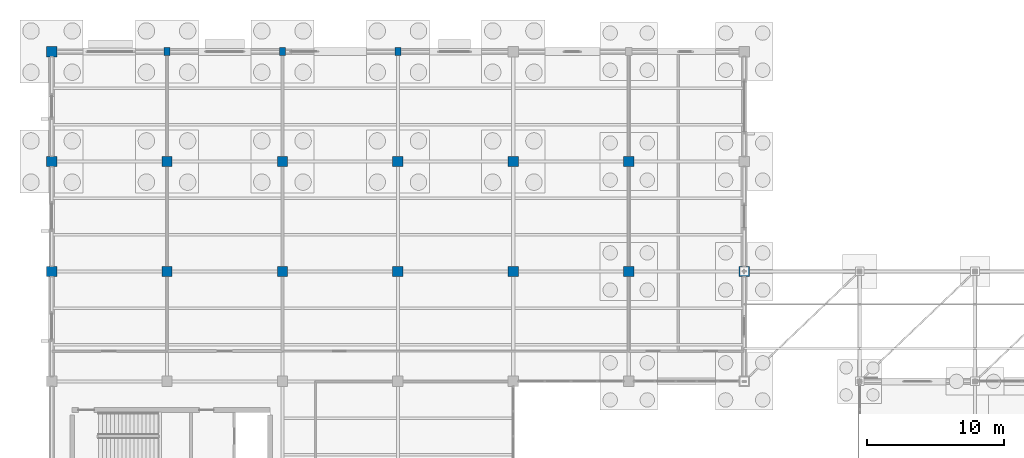
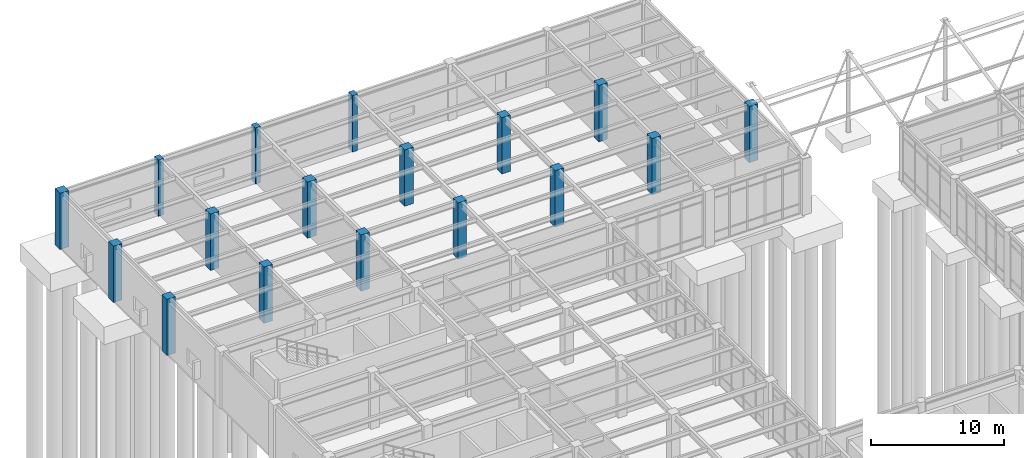
# One storey, part 13 of 138: 17 columns.
"""IFC4 building model written with IfcOpenShell, lengths in metres."""

import ifcopenshell
import ifcopenshell.guid

model = None  # the IFC model being written
_history = None  # IfcOwnerHistory: only IFC2X3 demands one
_inside = {}  # id of a spatial element -> (the spatial element, [elements in it])
_under = {}  # id of a project, library or spatial element -> (it, [spatial elements below it])
_declared = {}  # id of a project -> (the project, [libraries it declares])
_typed = {}  # id of a type object -> (the type object, [elements of that type])
_made_of = {}  # id of a material, layer set ... -> (it, [elements and type objects made of it])


def new_model(schema):
    """Start an empty IFC model of exactly this schema.

    Asked for "IFC4X3", IfcOpenShell would pick the latest addendum, in which some entities
    have other attributes; the version numbers below select the first issue.
    IFC2X3 requires an IfcOwnerHistory on every rooted entity: one is made here for all.
    """
    global model, _history
    if schema == "IFC4X3":
        model = ifcopenshell.file(schema_version=(4, 3, 0, 0))
    else:
        model = ifcopenshell.file(schema=schema)
    _inside.clear()
    _under.clear()
    _declared.clear()
    _typed.clear()
    _made_of.clear()
    _history = None
    if model.schema == "IFC2X3":
        org = make("IfcOrganization", Name="unknown")
        user = make(
            "IfcPersonAndOrganization",
            ThePerson=make("IfcPerson", FamilyName="unknown"),
            TheOrganization=org,
        )
        app = make(
            "IfcApplication",
            ApplicationDeveloper=org,
            Version="unknown",
            ApplicationFullName="unknown",
            ApplicationIdentifier="unknown",
        )
        _history = make(
            "IfcOwnerHistory",
            OwningUser=user,
            OwningApplication=app,
            ChangeAction="ADDED",
            CreationDate=0,
        )
    return model


def make(cls, **values):
    """One entity of the class cls with the attributes given. An attribute that is None is left unset."""
    return model.create_entity(
        cls, **{name: value for name, value in values.items() if value is not None}
    )


def rooted(cls, **values):
    """An entity with a GlobalId (a new one), such as an element, a storey or a relation."""
    return make(cls, GlobalId=ifcopenshell.guid.new(), OwnerHistory=_history, **values)


def si_unit(unit_type, name, prefix=None):
    """IfcSIUnit, for example si_unit("LENGTHUNIT", "METRE", prefix="MILLI")."""
    return make("IfcSIUnit", UnitType=unit_type, Prefix=prefix, Name=name)


def assignment(units):
    """IfcUnitAssignment: the units of a project."""
    return None if units is None else make("IfcUnitAssignment", Units=units)


def point(xyz):
    """IfcCartesianPoint."""
    return None if xyz is None else make("IfcCartesianPoint", Coordinates=xyz)


def direction(xyz):
    """IfcDirection."""
    return None if xyz is None else make("IfcDirection", DirectionRatios=xyz)


def frame(location, z_axis=None, x_axis=None):
    """IfcAxis2Placement3D, a coordinate frame: its origin and axes. An axis left out is left unset."""
    return make(
        "IfcAxis2Placement3D",
        Location=point(location),
        Axis=direction(z_axis),
        RefDirection=direction(x_axis),
    )


def frame_2d(location, x_axis=None):
    """IfcAxis2Placement2D, a coordinate frame in the plane: its origin and x axis."""
    return make(
        "IfcAxis2Placement2D", Location=point(location), RefDirection=direction(x_axis)
    )


def origin():
    """The frame at (0, 0, 0) with its axes left unset."""
    return frame((0.0, 0.0, 0.0))


def origin_2d():
    """The frame at (0, 0) in the plane with its x axis left unset."""
    return frame_2d((0.0, 0.0))


def place(relative_to, where):
    """IfcLocalPlacement: puts the frame where relative to a parent placement (None: the world)."""
    return make(
        "IfcLocalPlacement", PlacementRelTo=relative_to, RelativePlacement=where
    )


def context(
    kind, dimensions, precision=None, world=None, true_north=None, identifier=None
):
    """IfcGeometricRepresentationContext, for example the 3D "Model" context."""
    return make(
        "IfcGeometricRepresentationContext",
        ContextIdentifier=identifier,
        ContextType=kind,
        CoordinateSpaceDimension=dimensions,
        Precision=precision,
        WorldCoordinateSystem=world,
        TrueNorth=true_north,
    )


def subcontext(parent, identifier, kind, view, scale=None):
    """IfcGeometricRepresentationSubContext, for example "Body" below "Model"."""
    return make(
        "IfcGeometricRepresentationSubContext",
        ContextIdentifier=identifier,
        ContextType=kind,
        ParentContext=parent,
        TargetScale=scale,
        TargetView=view,
    )


def project(units=None, contexts=None):
    """IfcProject with its units and contexts."""
    return rooted(
        "IfcProject",
        Name="project",
        RepresentationContexts=contexts,
        UnitsInContext=assignment(units),
    )


def spatial(cls, under=None, at=None, **own):
    """A site, building, storey or space (cls), placed at a placement, below another one or the project."""
    s = rooted(cls, ObjectPlacement=at, **own)
    if under is not None:
        _under.setdefault(under.id(), (under, []))[1].append(s)
    return s


def profile(cls, at=None, kind="AREA", **sizes):
    """A parametric profile (cls). Its sizes go by their IFC names, for example OverallWidth=200.0."""
    return make(cls, ProfileType=kind, Position=at, **sizes)


def rectangle(**sizes):
    """IfcRectangleProfileDef."""
    return profile("IfcRectangleProfileDef", **sizes)


def extrude(swept, where, along, depth):
    """IfcExtrudedAreaSolid: the profile swept, set in the frame where, extruded along a direction by depth."""
    return make(
        "IfcExtrudedAreaSolid",
        SweptArea=swept,
        Position=where,
        ExtrudedDirection=direction(along),
        Depth=depth,
    )


def shape(context_of_items, identifier, shape_type, items):
    """IfcShapeRepresentation: the items that make up one representation, for example the "Body"."""
    return make(
        "IfcShapeRepresentation",
        ContextOfItems=context_of_items,
        RepresentationIdentifier=identifier,
        RepresentationType=shape_type,
        Items=items,
    )


def material(Name=None, Category=None):
    """IfcMaterial."""
    return make("IfcMaterial", Name=Name, Category=Category)


def material_profile(
    of_material, cross_section, Name=None, Category=None, Priority=None
):
    """IfcMaterialProfile: a cross section and its material."""
    return make(
        "IfcMaterialProfile",
        Name=Name,
        Material=of_material,
        Profile=cross_section,
        Priority=Priority,
        Category=Category,
    )


def profile_set(profiles, Name=None, composite=None):
    """IfcMaterialProfileSet."""
    return make(
        "IfcMaterialProfileSet",
        Name=Name,
        MaterialProfiles=profiles,
        CompositeProfile=composite,
    )


def made_of(thing, what):
    """Note that an element or type object is made of a material, layer set ...; save() writes the relation."""
    if what is not None:
        _made_of.setdefault(what.id(), (what, []))[1].append(thing)
    return thing


def type_object(cls, material=None, **own):
    """A type object (cls), such as IfcWallType, which elements share."""
    return made_of(rooted(cls, **own), material)


def element(
    cls,
    number,
    at=None,
    inside=None,
    cuts=None,
    type_object=None,
    material=None,
    context=None,
    identifier="Body",
    shape_type=None,
    held_by="IfcProductDefinitionShape",
    body=None,
    shapes=None,
    **own,
):
    """One element of the class cls, such as IfcWall. Its Tag is "e" and its number.

    at: its placement. inside: the storey or other place that contains it. cuts: it is an
    opening in that element (IfcRelVoidsElement). A single representation is given by context,
    identifier, shape_type and body (its items); several are given by shapes. held_by: the class
    of the entity that holds the representations. save() writes the other relations.
    """
    e = rooted(cls, Tag="e%d" % number, ObjectPlacement=at, **own)
    if body is not None:
        shapes = [shape(context, identifier, shape_type, body)]
    if shapes is not None:
        e.Representation = make(held_by, Representations=shapes)
    if inside is not None:
        _inside.setdefault(inside.id(), (inside, []))[1].append(e)
    if cuts is not None:
        rooted(
            "IfcRelVoidsElement", RelatingBuildingElement=cuts, RelatedOpeningElement=e
        )
    if type_object is not None:
        _typed.setdefault(type_object.id(), (type_object, []))[1].append(e)
    return made_of(e, material)


def aggregate(whole, parts):
    """IfcRelAggregates: a whole, such as a stair, and the parts it consists of."""
    return rooted("IfcRelAggregates", RelatingObject=whole, RelatedObjects=parts)


def save(model, path):
    """Write the relations noted so far, then the file.

    IfcRelAggregates (storeys below a building ...), IfcRelContainedInSpatialStructure (elements
    in a storey), IfcRelDefinesByType, IfcRelAssociatesMaterial and IfcRelDeclares: one each for
    every whole, place, type object, material and project.
    """
    for whole, parts in _under.values():
        aggregate(whole, parts)
    for where, things in _inside.values():
        rooted(
            "IfcRelContainedInSpatialStructure",
            RelatedElements=things,
            RelatingStructure=where,
        )
    for kind, things in _typed.values():
        rooted("IfcRelDefinesByType", RelatedObjects=things, RelatingType=kind)
    for what, things in _made_of.values():
        rooted("IfcRelAssociatesMaterial", RelatedObjects=things, RelatingMaterial=what)
    for by, libraries in _declared.values():
        rooted("IfcRelDeclares", RelatingContext=by, RelatedDefinitions=libraries)
    model.write(path)


model = new_model("IFC4")

# Units and contexts
model_context = context("Model", 3, precision=1e-05, world=origin(), true_north=direction((0.0, 1.0)))
body_context = subcontext(model_context, "Body", "Model", "MODEL_VIEW")
ifc_project = project(units=[si_unit("LENGTHUNIT", "METRE"), si_unit("AREAUNIT", "SQUARE_METRE"), si_unit("VOLUMEUNIT", "CUBIC_METRE"), si_unit("PLANEANGLEUNIT", "RADIAN"), si_unit("MASSUNIT", "GRAM", prefix="KILO")], contexts=[model_context])

# Site, building, storey
site_placement = place(None, origin())
site = spatial("IfcSite", under=ifc_project, at=site_placement, CompositionType="ELEMENT")
building_placement = place(site_placement, origin())
building = spatial("IfcBuilding", under=site, at=building_placement, Name="Kranzveld Transit Interchange", CompositionType="ELEMENT")
storey_placement = place(building_placement, origin())
storey = spatial("IfcBuildingStorey", under=building, at=storey_placement, Name="L00", CompositionType="ELEMENT", Elevation=0.0)

# Columns
ifc_material_1 = material(Name="Concrete C40/50", Category="concrete")
ifc_material_profile_1 = material_profile(ifc_material_1, rectangle(XDim=0.75, YDim=0.75, at=origin_2d()), Name="RC 750x750")
ifc_profile_set_1 = profile_set([ifc_material_profile_1], Name="Concrete C40/50")
column_type_1 = type_object("IfcColumnType", Name="Column RC 750x750 C40/50", PredefinedType="COLUMN", material=ifc_profile_set_1)
for number, where, z_axis, x_axis, name in (
    (1, (0.0, 96.0, 0.0), (0.0, 0.0, 1.0), (1.0, 0.0, 0.0), "L00 Column 01/N"),
    (2, (0.0, 104.0, 0.0), (0.0, 0.0, 1.0), (1.0, 0.0, 0.0), "L00 Column 01/P"),
    (3, (0.0, 112.0, 0.0), (0.0, 0.0, 1.0), (1.0, 0.0, 0.0), "L00 Column 01/Q"),
    (4, (8.39990234375, 96.0, 0.0), (0.0, 0.0, 1.0), (1.0, 0.0, 0.0), "L00 Column 02/N"),
    (5, (8.39990234375, 104.0, 0.0), (0.0, 0.0, 1.0), (1.0, 0.0, 0.0), "L00 Column 02/P"),
    (6, (16.800048828125, 96.0, 0.0), (0.0, 0.0, 1.0), (1.0, 0.0, 0.0), "L00 Column 03/N"),
    (7, (16.800048828125, 104.0, 0.0), (0.0, 0.0, 1.0), (1.0, 0.0, 0.0), "L00 Column 03/P"),
    (8, (25.199951171875, 96.0, 0.0), (0.0, 0.0, 1.0), (1.0, 0.0, 0.0), "L00 Column 04/N"),
    (9, (25.199951171875, 104.0, 0.0), (0.0, 0.0, 1.0), (1.0, 0.0, 0.0), "L00 Column 04/P"),
    (10, (33.60009765625, 96.0, 0.0), (0.0, 0.0, 1.0), (1.0, 0.0, 0.0), "L00 Column 05/N"),
    (11, (33.60009765625, 104.0, 0.0), (0.0, 0.0, 1.0), (1.0, 0.0, 0.0), "L00 Column 05/P"),
    (12, (42.0, 96.0, 0.0), (0.0, 0.0, 1.0), (1.0, 0.0, 0.0), "L00 Column 06/N"),
    (13, (42.0, 104.0, 0.0), (0.0, 0.0, 1.0), (1.0, 0.0, 0.0), "L00 Column 06/P"),
    (14, (50.39990234375, 96.0, 0.0), (0.0, 0.0, 1.0), (1.0, 0.0, 0.0), "L00 Column 07/N"),
):
    element("IfcColumn", number, at=place(storey_placement, frame(where, z_axis=z_axis, x_axis=x_axis)), inside=storey, type_object=column_type_1, Name=name, PredefinedType="COLUMN", context=body_context, shape_type="SweptSolid", body=[
        extrude(rectangle(XDim=0.75, YDim=0.75, at=origin_2d()), origin(), (0.0, 0.0, 1.0), 5.14990234375),
    ])
ifc_material_2 = material(Name="Concrete C35/45", Category="concrete")
ifc_material_profile_2 = material_profile(ifc_material_2, rectangle(XDim=0.449951171875, YDim=0.60009765625, at=origin_2d()), Name="RC 600x450")
ifc_profile_set_2 = profile_set([ifc_material_profile_2], Name="Concrete C35/45")
column_type_2 = type_object("IfcColumnType", Name="Pilaster RC 450x600 C35/45", PredefinedType="PILASTER", material=ifc_profile_set_2)
for number, where, z_axis, x_axis, name in (
    (15, (8.39990234375, 112.0, 0.0), (0.0, 0.0, 1.0), (1.0, 0.0, 0.0), "L00 Column 02/Q"),
    (16, (16.800048828125, 112.0, 0.0), (0.0, 0.0, 1.0), (1.0, 0.0, 0.0), "L00 Column 03/Q"),
    (17, (25.199951171875, 112.0, 0.0), (0.0, 0.0, 1.0), (1.0, 0.0, 0.0), "L00 Column 04/Q"),
):
    element("IfcColumn", number, at=place(storey_placement, frame(where, z_axis=z_axis, x_axis=x_axis)), inside=storey, type_object=column_type_2, Name=name, PredefinedType="PILASTER", context=body_context, shape_type="SweptSolid", body=[
        extrude(rectangle(XDim=0.449951171875, YDim=0.60009765625, at=origin_2d()), origin(), (0.0, 0.0, 1.0), 5.14990234375),
    ])

save(model, "model.ifc")
